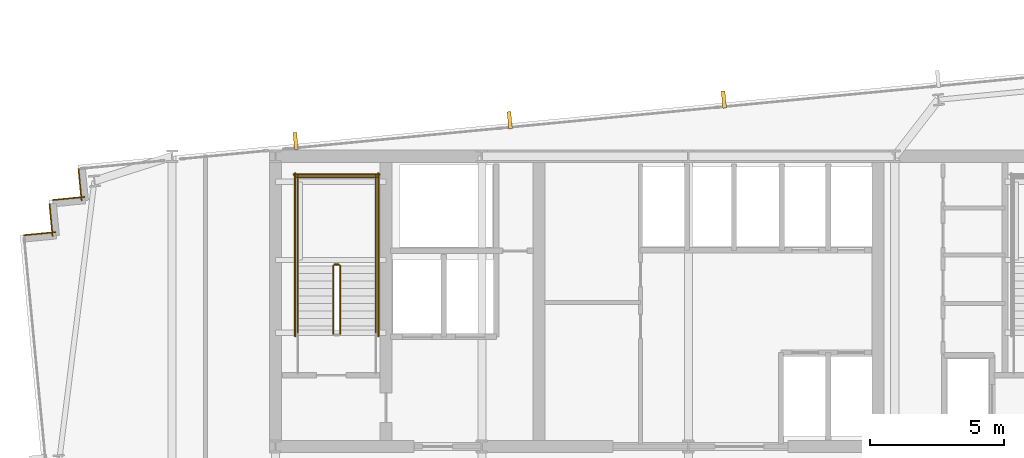
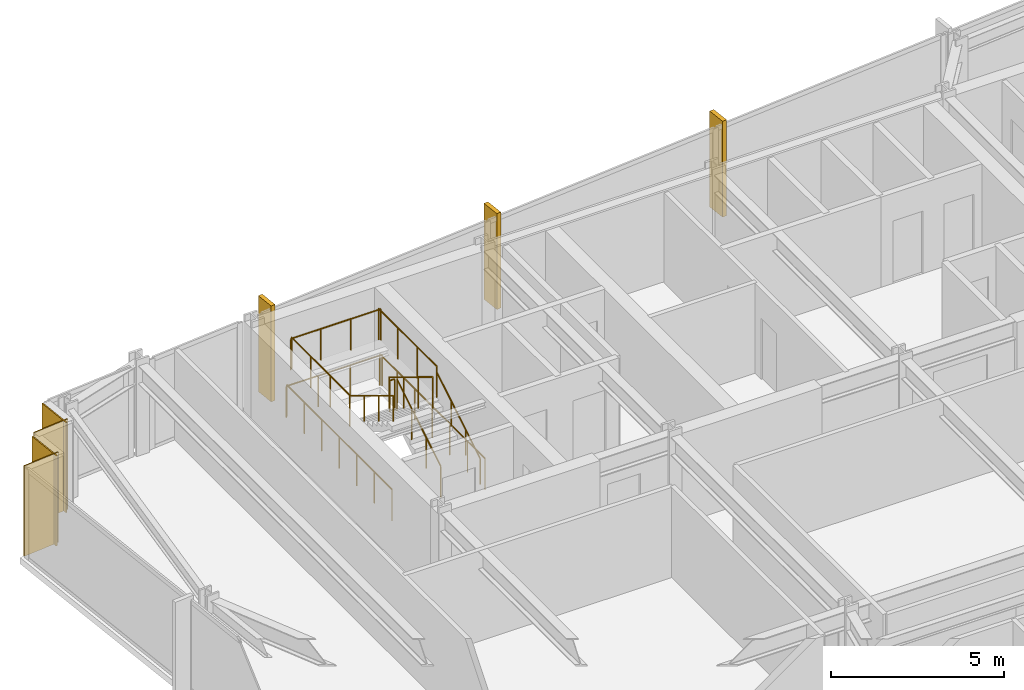
# One storey, part 31 of 32: 11 railings, 4 coverings, 3 shading devices.
"""IFC4 building model written with IfcOpenShell, lengths in metres."""

import ifcopenshell
import ifcopenshell.guid

model = None  # the IFC model being written
_history = None  # IfcOwnerHistory: only IFC2X3 demands one
_inside = {}  # id of a spatial element -> (the spatial element, [elements in it])
_under = {}  # id of a project, library or spatial element -> (it, [spatial elements below it])
_declared = {}  # id of a project -> (the project, [libraries it declares])
_typed = {}  # id of a type object -> (the type object, [elements of that type])
_made_of = {}  # id of a material, layer set ... -> (it, [elements and type objects made of it])


def new_model(schema):
    """Start an empty IFC model of exactly this schema.

    Asked for "IFC4X3", IfcOpenShell would pick the latest addendum, in which some entities
    have other attributes; the version numbers below select the first issue.
    IFC2X3 requires an IfcOwnerHistory on every rooted entity: one is made here for all.
    """
    global model, _history
    if schema == "IFC4X3":
        model = ifcopenshell.file(schema_version=(4, 3, 0, 0))
    else:
        model = ifcopenshell.file(schema=schema)
    _inside.clear()
    _under.clear()
    _declared.clear()
    _typed.clear()
    _made_of.clear()
    _history = None
    if model.schema == "IFC2X3":
        org = make("IfcOrganization", Name="unknown")
        user = make(
            "IfcPersonAndOrganization",
            ThePerson=make("IfcPerson", FamilyName="unknown"),
            TheOrganization=org,
        )
        app = make(
            "IfcApplication",
            ApplicationDeveloper=org,
            Version="unknown",
            ApplicationFullName="unknown",
            ApplicationIdentifier="unknown",
        )
        _history = make(
            "IfcOwnerHistory",
            OwningUser=user,
            OwningApplication=app,
            ChangeAction="ADDED",
            CreationDate=0,
        )
    return model


def make(cls, **values):
    """One entity of the class cls with the attributes given. An attribute that is None is left unset."""
    return model.create_entity(
        cls, **{name: value for name, value in values.items() if value is not None}
    )


def rooted(cls, **values):
    """An entity with a GlobalId (a new one), such as an element, a storey or a relation."""
    return make(cls, GlobalId=ifcopenshell.guid.new(), OwnerHistory=_history, **values)


def si_unit(unit_type, name, prefix=None):
    """IfcSIUnit, for example si_unit("LENGTHUNIT", "METRE", prefix="MILLI")."""
    return make("IfcSIUnit", UnitType=unit_type, Prefix=prefix, Name=name)


def assignment(units):
    """IfcUnitAssignment: the units of a project."""
    return None if units is None else make("IfcUnitAssignment", Units=units)


def point(xyz):
    """IfcCartesianPoint."""
    return None if xyz is None else make("IfcCartesianPoint", Coordinates=xyz)


def direction(xyz):
    """IfcDirection."""
    return None if xyz is None else make("IfcDirection", DirectionRatios=xyz)


def frame(location, z_axis=None, x_axis=None):
    """IfcAxis2Placement3D, a coordinate frame: its origin and axes. An axis left out is left unset."""
    return make(
        "IfcAxis2Placement3D",
        Location=point(location),
        Axis=direction(z_axis),
        RefDirection=direction(x_axis),
    )


def frame_2d(location, x_axis=None):
    """IfcAxis2Placement2D, a coordinate frame in the plane: its origin and x axis."""
    return make(
        "IfcAxis2Placement2D", Location=point(location), RefDirection=direction(x_axis)
    )


def origin():
    """The frame at (0, 0, 0) with its axes left unset."""
    return frame((0.0, 0.0, 0.0))


def origin_2d():
    """The frame at (0, 0) in the plane with its x axis left unset."""
    return frame_2d((0.0, 0.0))


def place(relative_to, where):
    """IfcLocalPlacement: puts the frame where relative to a parent placement (None: the world)."""
    return make(
        "IfcLocalPlacement", PlacementRelTo=relative_to, RelativePlacement=where
    )


def context(
    kind, dimensions, precision=None, world=None, true_north=None, identifier=None
):
    """IfcGeometricRepresentationContext, for example the 3D "Model" context."""
    return make(
        "IfcGeometricRepresentationContext",
        ContextIdentifier=identifier,
        ContextType=kind,
        CoordinateSpaceDimension=dimensions,
        Precision=precision,
        WorldCoordinateSystem=world,
        TrueNorth=true_north,
    )


def subcontext(parent, identifier, kind, view, scale=None):
    """IfcGeometricRepresentationSubContext, for example "Body" below "Model"."""
    return make(
        "IfcGeometricRepresentationSubContext",
        ContextIdentifier=identifier,
        ContextType=kind,
        ParentContext=parent,
        TargetScale=scale,
        TargetView=view,
    )


def project(units=None, contexts=None):
    """IfcProject with its units and contexts."""
    return rooted(
        "IfcProject",
        Name="project",
        RepresentationContexts=contexts,
        UnitsInContext=assignment(units),
    )


def spatial(cls, under=None, at=None, **own):
    """A site, building, storey or space (cls), placed at a placement, below another one or the project."""
    s = rooted(cls, ObjectPlacement=at, **own)
    if under is not None:
        _under.setdefault(under.id(), (under, []))[1].append(s)
    return s


def profile(cls, at=None, kind="AREA", **sizes):
    """A parametric profile (cls). Its sizes go by their IFC names, for example OverallWidth=200.0."""
    return make(cls, ProfileType=kind, Position=at, **sizes)


def rectangle(**sizes):
    """IfcRectangleProfileDef."""
    return profile("IfcRectangleProfileDef", **sizes)


def circle(**sizes):
    """IfcCircleProfileDef."""
    return profile("IfcCircleProfileDef", **sizes)


def extrude(swept, where, along, depth):
    """IfcExtrudedAreaSolid: the profile swept, set in the frame where, extruded along a direction by depth."""
    return make(
        "IfcExtrudedAreaSolid",
        SweptArea=swept,
        Position=where,
        ExtrudedDirection=direction(along),
        Depth=depth,
    )


def shape(context_of_items, identifier, shape_type, items):
    """IfcShapeRepresentation: the items that make up one representation, for example the "Body"."""
    return make(
        "IfcShapeRepresentation",
        ContextOfItems=context_of_items,
        RepresentationIdentifier=identifier,
        RepresentationType=shape_type,
        Items=items,
    )


def material(Name=None, Category=None):
    """IfcMaterial."""
    return make("IfcMaterial", Name=Name, Category=Category)


def layer(
    of_material, thickness, ventilated=None, Name=None, Category=None, Priority=None
):
    """IfcMaterialLayer: one layer of a wall or slab, of a material (None: an air gap)."""
    return make(
        "IfcMaterialLayer",
        Material=of_material,
        LayerThickness=thickness,
        IsVentilated=ventilated,
        Name=Name,
        Category=Category,
        Priority=Priority,
    )


def layer_set(layers, Name=None):
    """IfcMaterialLayerSet."""
    return make("IfcMaterialLayerSet", MaterialLayers=layers, LayerSetName=Name)


def made_of(thing, what):
    """Note that an element or type object is made of a material, layer set ...; save() writes the relation."""
    if what is not None:
        _made_of.setdefault(what.id(), (what, []))[1].append(thing)
    return thing


def type_object(cls, material=None, **own):
    """A type object (cls), such as IfcWallType, which elements share."""
    return made_of(rooted(cls, **own), material)


def element(
    cls,
    number,
    at=None,
    inside=None,
    cuts=None,
    type_object=None,
    material=None,
    context=None,
    identifier="Body",
    shape_type=None,
    held_by="IfcProductDefinitionShape",
    body=None,
    shapes=None,
    **own,
):
    """One element of the class cls, such as IfcWall. Its Tag is "e" and its number.

    at: its placement. inside: the storey or other place that contains it. cuts: it is an
    opening in that element (IfcRelVoidsElement). A single representation is given by context,
    identifier, shape_type and body (its items); several are given by shapes. held_by: the class
    of the entity that holds the representations. save() writes the other relations.
    """
    e = rooted(cls, Tag="e%d" % number, ObjectPlacement=at, **own)
    if body is not None:
        shapes = [shape(context, identifier, shape_type, body)]
    if shapes is not None:
        e.Representation = make(held_by, Representations=shapes)
    if inside is not None:
        _inside.setdefault(inside.id(), (inside, []))[1].append(e)
    if cuts is not None:
        rooted(
            "IfcRelVoidsElement", RelatingBuildingElement=cuts, RelatedOpeningElement=e
        )
    if type_object is not None:
        _typed.setdefault(type_object.id(), (type_object, []))[1].append(e)
    return made_of(e, material)


def aggregate(whole, parts):
    """IfcRelAggregates: a whole, such as a stair, and the parts it consists of."""
    return rooted("IfcRelAggregates", RelatingObject=whole, RelatedObjects=parts)


def save(model, path):
    """Write the relations noted so far, then the file.

    IfcRelAggregates (storeys below a building ...), IfcRelContainedInSpatialStructure (elements
    in a storey), IfcRelDefinesByType, IfcRelAssociatesMaterial and IfcRelDeclares: one each for
    every whole, place, type object, material and project.
    """
    for whole, parts in _under.values():
        aggregate(whole, parts)
    for where, things in _inside.values():
        rooted(
            "IfcRelContainedInSpatialStructure",
            RelatedElements=things,
            RelatingStructure=where,
        )
    for kind, things in _typed.values():
        rooted("IfcRelDefinesByType", RelatedObjects=things, RelatingType=kind)
    for what, things in _made_of.values():
        rooted("IfcRelAssociatesMaterial", RelatedObjects=things, RelatingMaterial=what)
    for by, libraries in _declared.values():
        rooted("IfcRelDeclares", RelatingContext=by, RelatedDefinitions=libraries)
    model.write(path)


model = new_model("IFC4")

# Units and contexts
model_context = context("Model", 3, precision=1e-05, world=origin(), true_north=direction((0.0, 1.0)))
body_context = subcontext(model_context, "Body", "Model", "MODEL_VIEW")
ifc_project = project(units=[si_unit("LENGTHUNIT", "METRE"), si_unit("AREAUNIT", "SQUARE_METRE"), si_unit("VOLUMEUNIT", "CUBIC_METRE"), si_unit("PLANEANGLEUNIT", "RADIAN"), si_unit("MASSUNIT", "GRAM", prefix="KILO")], contexts=[model_context])

# Site, building, storey
site_placement = place(None, origin())
site = spatial("IfcSite", under=ifc_project, at=site_placement, CompositionType="ELEMENT")
building_placement = place(site_placement, origin())
building = spatial("IfcBuilding", under=site, at=building_placement, Name="Yelkora Congress Tower", CompositionType="ELEMENT")
storey_placement = place(building_placement, frame((0.0, 0.0, 103.300048828125)))
storey = spatial("IfcBuildingStorey", under=building, at=storey_placement, Name="L27", CompositionType="ELEMENT", Elevation=103.300048828125)

# Coverings
ifc_material_1 = material(Name="Anatolian bush-hammered limestone", Category="masonry")
ifc_layer_1 = layer(ifc_material_1, 0.0400390625)
ifc_layer_set_1 = layer_set([ifc_layer_1], Name="Anatolian bush-hammered limestone")
covering_type = type_object("IfcCoveringType", Name="COV-CLAD-SPANDREL-40", PredefinedType="CLADDING", material=ifc_layer_set_1)
for number, where, z_axis, x_axis, name in (
    (1, (13.677978515625, 43.260986328125, 0.0), (0.0, 0.0, 1.0), (0.995397091755, 0.095836473879, 0.0), "L27 Anatolian Limestone Cladding EW-L27-SR06"),
    (2, (14.7509765625, 43.228759765625, 0.0), (0.0, 0.0, 1.0), (-0.095836473879, 0.995397091755, 0.0), "L27 Anatolian Limestone Cladding EW-L27-SR07"),
):
    element("IfcCovering", number, at=place(storey_placement, frame(where, z_axis=z_axis, x_axis=x_axis)), inside=storey, type_object=covering_type, Name=name, PredefinedType="CLADDING", context=body_context, shape_type="SweptSolid", body=[
        extrude(rectangle(XDim=1.199951171875, YDim=0.0400390625, at=frame_2d((0.60009765625, 0.0))), origin(), (0.0, 0.0, 1.0), 3.179931640625),
    ])
for number, where, z_axis, x_axis, name in (
    (3, (14.75732421875, 44.570556640625, 0.0), (0.0, 0.0, 1.0), (0.995398960025, 0.095817067274, 0.0), "L27 Anatolian Limestone Cladding EW-L27-SR08"),
    (4, (15.830322265625, 44.5380859375, 0.0), (0.0, 0.0, 1.0), (-0.095817067274, 0.995398960025, 0.0), "L27 Anatolian Limestone Cladding EW-L27-SR09"),
):
    element("IfcCovering", number, at=place(storey_placement, frame(where, z_axis=z_axis, x_axis=x_axis)), inside=storey, type_object=covering_type, Name=name, PredefinedType="CLADDING", context=body_context, shape_type="SweptSolid", body=[
        extrude(rectangle(XDim=1.2001953125, YDim=0.0400390625, at=frame_2d((0.60009765625, 0.0))), origin(), (0.0, 0.0, 1.0), 3.179931640625),
    ])

# Railings
ifc_material_2 = material(Name="Painted galvanised steel stair well guard with vertical infill", Category="steel")
ifc_layer_2 = layer(ifc_material_2, 0.06005859375)
ifc_layer_set_2 = layer_set([ifc_layer_2], Name="Painted galvanised steel stair well guard with vertical infill")
railing_type_1 = type_object("IfcRailingType", Name="RAIL-STAIR-GUARD-1120", PredefinedType="GUARDRAIL", material=ifc_layer_set_2)
railing_1_placement = place(storey_placement, frame((25.449951171875, 39.60009765625, 0.169921875)))
element("IfcRailing", 5, at=railing_1_placement, inside=storey, type_object=railing_type_1, Name="ST-01 L27 Stair Well Guardrail 1", PredefinedType="GUARDRAIL", context=body_context, shape_type="SweptSolid", body=[
    extrude(circle(Radius=0.02392578125, at=origin_2d()), frame((0.0, 0.0, 1.09619140625), z_axis=(0.0, 0.85478489116, 0.518982456201), x_axis=(-1.0, 0.0, 0.0)), (0.0, 0.0, 1.0), 2.9482421875),
    extrude(circle(Radius=0.02099609375, at=origin_2d()), origin(), (0.0, 0.0, 1.0), 1.072021484375),
    extrude(circle(Radius=0.02099609375, at=origin_2d()), frame((0.0, 0.840087890625, 0.510009765625)), (0.0, 0.0, 1.0), 1.072021484375),
    extrude(circle(Radius=0.02099609375, at=origin_2d()), frame((0.0, 1.679931640625, 1.02001953125)), (0.0, 0.0, 1.0), 1.072021484375),
    extrude(circle(Radius=0.02099609375, at=origin_2d()), frame((0.0, 2.52001953125, 1.530029296875)), (0.0, 0.0, 1.0), 1.072021484375),
])
railing_2_placement = place(storey_placement, frame((25.39990234375, 42.169921875, 1.699951171875)))
element("IfcRailing", 6, at=railing_2_placement, inside=storey, type_object=railing_type_1, Name="ST-01 L27 Stair Well Guardrail 2", PredefinedType="GUARDRAIL", context=body_context, shape_type="SweptSolid", body=[
    extrude(circle(Radius=0.02392578125, at=origin_2d()), frame((0.0, 0.0, 1.09619140625), z_axis=(-1.0, 0.0, 0.0), x_axis=(0.0, -1.0, 0.0)), (0.0, 0.0, 1.0), 0.159912109375),
    extrude(circle(Radius=0.02099609375, at=origin_2d()), origin(), (0.0, 0.0, 1.0), 1.072021484375),
    extrude(circle(Radius=0.02099609375, at=origin_2d()), frame((-0.159912109375, 0.0, 0.0)), (0.0, 0.0, 1.0), 1.072021484375),
])
for number, where, name in (
    (7, (26.77001953125, 42.1201171875, 1.699951171875), "ST-01 L27 Stair Well Guardrail 3"),
    (8, (23.8701171875, 42.1201171875, 1.699951171875), "ST-01 L27 Stair Well Guardrail 4"),
):
    element("IfcRailing", number, at=place(storey_placement, frame(where)), inside=storey, type_object=railing_type_1, Name=name, PredefinedType="GUARDRAIL", context=body_context, shape_type="SweptSolid", body=[
        extrude(circle(Radius=0.02392578125, at=origin_2d()), frame((0.0, 0.0, 1.09619140625), z_axis=(0.0, 1.0, 0.0), x_axis=(-1.0, 0.0, 0.0)), (0.0, 0.0, 1.0), 3.349853515625),
        extrude(circle(Radius=0.02099609375, at=origin_2d()), origin(), (0.0, 0.0, 1.0), 1.072021484375),
        extrude(circle(Radius=0.02099609375, at=origin_2d()), frame((0.0, 1.11669921875, 0.0)), (0.0, 0.0, 1.0), 1.072021484375),
        extrude(circle(Radius=0.02099609375, at=origin_2d()), frame((0.0, 2.233154296875, 0.0)), (0.0, 0.0, 1.0), 1.072021484375),
        extrude(circle(Radius=0.02099609375, at=origin_2d()), frame((0.0, 3.349853515625, 0.0)), (0.0, 0.0, 1.0), 1.072021484375),
    ])
railing_3_placement = place(storey_placement, frame((26.820068359375, 45.419921875, 1.699951171875)))
element("IfcRailing", 9, at=railing_3_placement, inside=storey, type_object=railing_type_1, Name="ST-01 L27 Stair Well Guardrail 5", PredefinedType="GUARDRAIL", context=body_context, shape_type="SweptSolid", body=[
    extrude(circle(Radius=0.02392578125, at=origin_2d()), frame((0.0, 0.0, 1.09619140625), z_axis=(-1.0, 0.0, 0.0), x_axis=(0.0, -1.0, 0.0)), (0.0, 0.0, 1.0), 3.0),
    extrude(circle(Radius=0.02099609375, at=origin_2d()), origin(), (0.0, 0.0, 1.0), 1.072021484375),
    extrude(circle(Radius=0.02099609375, at=origin_2d()), frame((-1.0, 0.0, 0.0)), (0.0, 0.0, 1.0), 1.072021484375),
    extrude(circle(Radius=0.02099609375, at=origin_2d()), frame((-2.0, 0.0, 0.0)), (0.0, 0.0, 1.0), 1.072021484375),
    extrude(circle(Radius=0.02099609375, at=origin_2d()), frame((-3.0, 0.0, 0.0)), (0.0, 0.0, 1.0), 1.072021484375),
])
railing_4_placement = place(storey_placement, frame((25.18994140625, 42.1201171875, 1.869873046875)))
element("IfcRailing", 10, at=railing_4_placement, inside=storey, type_object=railing_type_1, Name="ST-01 L27 Stair Well Guardrail 6", PredefinedType="GUARDRAIL", context=body_context, shape_type="SweptSolid", body=[
    extrude(circle(Radius=0.02392578125, at=origin_2d()), frame((0.0, 0.0, 1.09619140625), z_axis=(0.0, -0.85478489116, 0.518982456201), x_axis=(1.0, 0.0, 0.0)), (0.0, 0.0, 1.0), 2.9482421875),
    extrude(circle(Radius=0.02099609375, at=origin_2d()), origin(), (0.0, 0.0, 1.0), 1.072021484375),
    extrude(circle(Radius=0.02099609375, at=origin_2d()), frame((0.0, -0.840087890625, 0.510009765625)), (0.0, 0.0, 1.0), 1.072021484375),
    extrude(circle(Radius=0.02099609375, at=origin_2d()), frame((0.0, -1.679931640625, 1.02001953125)), (0.0, 0.0, 1.0), 1.072021484375),
    extrude(circle(Radius=0.02099609375, at=origin_2d()), frame((0.0, -2.52001953125, 1.530029296875)), (0.0, 0.0, 1.0), 1.072021484375),
])
for number, where, name in (
    (11, (26.8701171875, 39.5, 0.0), "ST-01 L27 Stair Well Guardrail 10"),
    (12, (23.77001953125, 39.5, 0.0), "ST-01 L27 Stair Well Guardrail 11"),
):
    element("IfcRailing", number, at=place(storey_placement, frame(where)), inside=storey, type_object=railing_type_1, Name=name, PredefinedType="GUARDRAIL", context=body_context, shape_type="SweptSolid", body=[
        extrude(circle(Radius=0.02392578125, at=origin_2d()), frame((0.0, 0.0, 1.09619140625), z_axis=(0.0, 1.0, 0.0), x_axis=(-1.0, 0.0, 0.0)), (0.0, 0.0, 1.0), 6.070068359375),
        extrude(circle(Radius=0.02099609375, at=origin_2d()), origin(), (0.0, 0.0, 1.0), 1.072021484375),
        extrude(circle(Radius=0.02099609375, at=origin_2d()), frame((0.0, 1.01171875, 0.0)), (0.0, 0.0, 1.0), 1.072021484375),
        extrude(circle(Radius=0.02099609375, at=origin_2d()), frame((0.0, 2.0234375, 0.0)), (0.0, 0.0, 1.0), 1.072021484375),
        extrude(circle(Radius=0.02099609375, at=origin_2d()), frame((0.0, 3.03515625, 0.0)), (0.0, 0.0, 1.0), 1.072021484375),
        extrude(circle(Radius=0.02099609375, at=origin_2d()), frame((0.0, 4.046630859375, 0.0)), (0.0, 0.0, 1.0), 1.072021484375),
        extrude(circle(Radius=0.02099609375, at=origin_2d()), frame((0.0, 5.058349609375, 0.0)), (0.0, 0.0, 1.0), 1.072021484375),
        extrude(circle(Radius=0.02099609375, at=origin_2d()), frame((0.0, 6.070068359375, 0.0)), (0.0, 0.0, 1.0), 1.072021484375),
    ])
railing_5_placement = place(storey_placement, frame((26.919921875, 45.52001953125, 0.0)))
element("IfcRailing", 13, at=railing_5_placement, inside=storey, type_object=railing_type_1, Name="ST-01 L27 Stair Well Guardrail 12", PredefinedType="GUARDRAIL", context=body_context, shape_type="SweptSolid", body=[
    extrude(circle(Radius=0.02392578125, at=origin_2d()), frame((0.0, 0.0, 1.09619140625), z_axis=(-1.0, 0.0, 0.0), x_axis=(0.0, -1.0, 0.0)), (0.0, 0.0, 1.0), 3.199951171875),
    extrude(circle(Radius=0.02099609375, at=origin_2d()), origin(), (0.0, 0.0, 1.0), 1.072021484375),
    extrude(circle(Radius=0.02099609375, at=origin_2d()), frame((-1.066650390625, 0.0, 0.0)), (0.0, 0.0, 1.0), 1.072021484375),
    extrude(circle(Radius=0.02099609375, at=origin_2d()), frame((-2.13330078125, 0.0, 0.0)), (0.0, 0.0, 1.0), 1.072021484375),
    extrude(circle(Radius=0.02099609375, at=origin_2d()), frame((-3.199951171875, 0.0, 0.0)), (0.0, 0.0, 1.0), 1.072021484375),
])
ifc_material_3 = material(Name="Brushed stainless steel tubular handrail", Category="steel")
ifc_layer_3 = layer(ifc_material_3, 0.050048828125)
ifc_layer_set_3 = layer_set([ifc_layer_3], Name="Brushed stainless steel tubular handrail")
railing_type_2 = type_object("IfcRailingType", Name="RAIL-STAIR-HAND-920", PredefinedType="HANDRAIL", material=ifc_layer_set_3)
railing_6_placement = place(storey_placement, frame((26.77001953125, 39.60009765625, 0.169921875)))
element("IfcRailing", 14, at=railing_6_placement, inside=storey, type_object=railing_type_2, Name="ST-01 L27 Pitch Handrail 1", PredefinedType="HANDRAIL", context=body_context, shape_type="SweptSolid", body=[
    extrude(circle(Radius=0.02392578125, at=origin_2d()), frame((0.0, 0.0, 0.89599609375), z_axis=(0.0, 0.85478489116, 0.518982456201), x_axis=(-1.0, 0.0, 0.0)), (0.0, 0.0, 1.0), 2.9482421875),
    extrude(circle(Radius=0.02099609375, at=origin_2d()), origin(), (0.0, 0.0, 1.0), 0.871826171875),
    extrude(circle(Radius=0.02099609375, at=origin_2d()), frame((0.0, 0.840087890625, 0.510009765625)), (0.0, 0.0, 1.0), 0.871826171875),
    extrude(circle(Radius=0.02099609375, at=origin_2d()), frame((0.0, 1.679931640625, 1.02001953125)), (0.0, 0.0, 1.0), 0.871826171875),
    extrude(circle(Radius=0.02099609375, at=origin_2d()), frame((0.0, 2.52001953125, 1.530029296875)), (0.0, 0.0, 1.0), 0.871826171875),
])
railing_7_placement = place(storey_placement, frame((23.8701171875, 42.1201171875, 1.869873046875)))
element("IfcRailing", 15, at=railing_7_placement, inside=storey, type_object=railing_type_2, Name="ST-01 L27 Pitch Handrail 2", PredefinedType="HANDRAIL", context=body_context, shape_type="SweptSolid", body=[
    extrude(circle(Radius=0.02392578125, at=origin_2d()), frame((0.0, 0.0, 0.89599609375), z_axis=(0.0, -0.85478489116, 0.518982456201), x_axis=(1.0, 0.0, 0.0)), (0.0, 0.0, 1.0), 2.9482421875),
    extrude(circle(Radius=0.02099609375, at=origin_2d()), origin(), (0.0, 0.0, 1.0), 0.871826171875),
    extrude(circle(Radius=0.02099609375, at=origin_2d()), frame((0.0, -0.840087890625, 0.510009765625)), (0.0, 0.0, 1.0), 0.871826171875),
    extrude(circle(Radius=0.02099609375, at=origin_2d()), frame((0.0, -1.679931640625, 1.02001953125)), (0.0, 0.0, 1.0), 0.871826171875),
    extrude(circle(Radius=0.02099609375, at=origin_2d()), frame((0.0, -2.52001953125, 1.530029296875)), (0.0, 0.0, 1.0), 0.871826171875),
])

# Shading devices
ifc_material_4 = material(Name="Champagne anodised aluminium", Category="aluminium")
ifc_layer_4 = layer(ifc_material_4, 3.39990234375)
ifc_layer_set_4 = layer_set([ifc_layer_4], Name="Champagne anodised aluminium")
shading_device_type = type_object("IfcShadingDeviceType", Name="SHD-FIN-ALU-640", PredefinedType="USERDEFINED", material=ifc_layer_set_4)
for number, where, z_axis, x_axis, name in (
    (16, (23.791015625, 46.771484375, -0.030029296875), (0.0, 0.0, 1.0), (0.995396198367, 0.09584575252, 0.0), "L27 Vertical Anodised Solar Fin 10-1"),
    (17, (31.7568359375, 47.53857421875, -0.030029296875), (0.0, 0.0, 1.0), (0.995396198367, 0.09584575252, 0.0), "L27 Vertical Anodised Solar Fin 10-2"),
    (18, (39.722900390625, 48.3056640625, -0.030029296875), (0.0, 0.0, 1.0), (0.995396198367, 0.09584575252, 0.0), "L27 Vertical Anodised Solar Fin 10-3"),
):
    element("IfcShadingDevice", number, at=place(storey_placement, frame(where, z_axis=z_axis, x_axis=x_axis)), inside=storey, type_object=shading_device_type, Name=name, ObjectType="FIN", PredefinedType="USERDEFINED", context=body_context, shape_type="SweptSolid", body=[
        extrude(rectangle(XDim=0.139892578125, YDim=0.639892578125, at=origin_2d()), origin(), (0.0, 0.0, 1.0), 3.3798828125),
    ])

save(model, "model.ifc")
